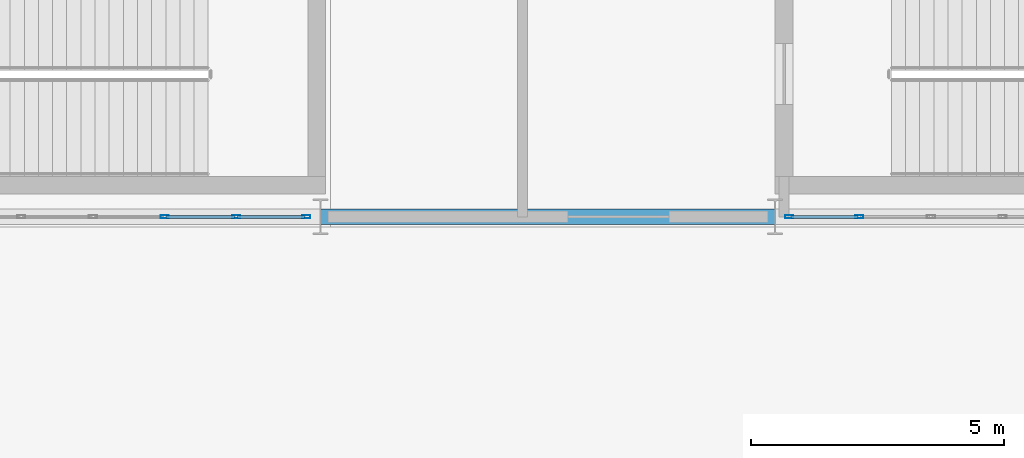
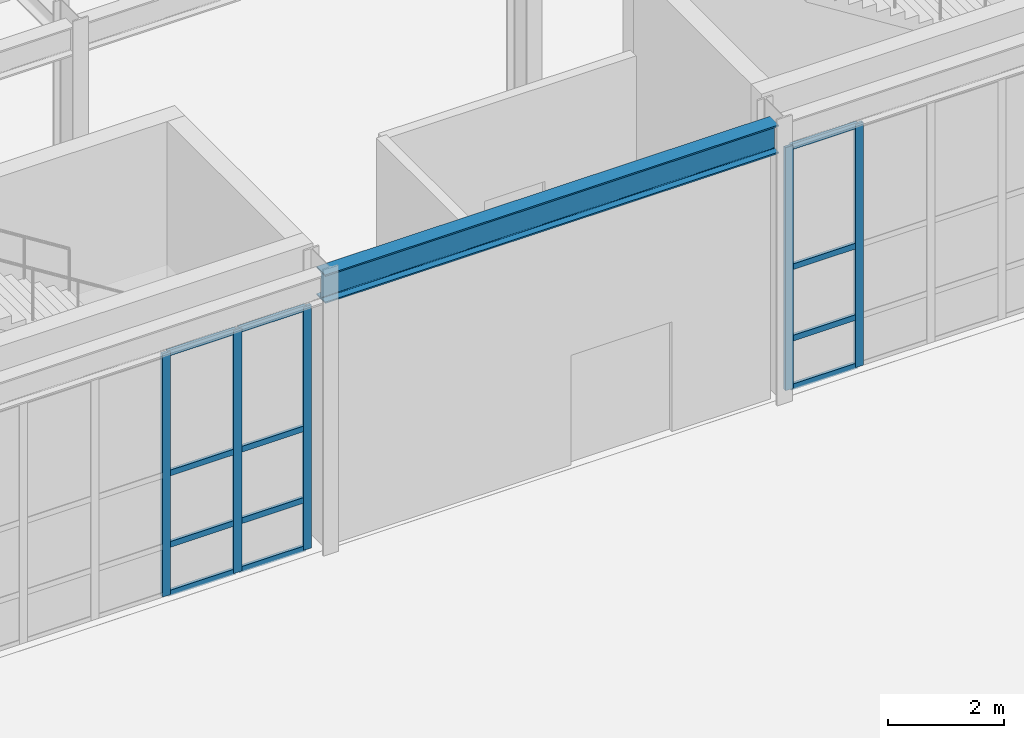
# One storey, part 63 of 146: 17 members, 1 beam, 2 elements without a shape of their own.
"""IFC4 building model written with IfcOpenShell, lengths in metres."""

from ifc_helpers import new_model, si_unit, direction, frame, origin, origin_2d, place, context, subcontext, project, spatial, hollow_rectangle, i_section, extrude, material, material_profile, profile_set, type_object, element, aggregate, save


model = new_model("IFC4")

# Units and contexts
model_context = context("Model", 3, precision=1e-05, world=origin(), true_north=direction((0.0, 1.0)))
body_context = subcontext(model_context, "Body", "Model", "MODEL_VIEW")
ifc_project = project(units=[si_unit("LENGTHUNIT", "METRE"), si_unit("AREAUNIT", "SQUARE_METRE"), si_unit("VOLUMEUNIT", "CUBIC_METRE"), si_unit("PLANEANGLEUNIT", "RADIAN"), si_unit("MASSUNIT", "GRAM", prefix="KILO")], contexts=[model_context])

# Site, building, storey
site_placement = place(None, origin())
site = spatial("IfcSite", under=ifc_project, at=site_placement, CompositionType="ELEMENT")
building_placement = place(site_placement, origin())
building = spatial("IfcBuilding", under=site, at=building_placement, Name="Kaldris Quays Convention Centre", CompositionType="ELEMENT")
storey_placement = place(building_placement, origin())
storey = spatial("IfcBuildingStorey", under=building, at=storey_placement, Name="L00", CompositionType="ELEMENT", Elevation=0.0)

# Curtain wall, members
ifc_material_1 = material(Name="Anodized aluminium AW-6060 and triple glazing", Category="aluminium")
curtain_wall_type = type_object("IfcCurtainWallType", Name="UNITISED CURTAIN WALL CW04", PredefinedType="NOTDEFINED", material=ifc_material_1)
curtain_wall_1_placement = place(storey_placement, origin())
curtain_wall_1 = element("IfcCurtainWall", 1, at=curtain_wall_1_placement, inside=storey, type_object=curtain_wall_type, Name="L00 Unitised Curtain Wall CW04 105", PredefinedType="NOTDEFINED")
ifc_material_2 = material(Name="Anodized aluminium AW-6060", Category="aluminium")
ifc_material_profile_1 = material_profile(ifc_material_2, hollow_rectangle(XDim=0.06005859375, YDim=0.159912109375, WallThickness=0.00390625, at=origin_2d()), Name="RHS 160x60x4")
ifc_profile_set_1 = profile_set([ifc_material_profile_1], Name="Anodized aluminium AW-6060")
member_type_1 = type_object("IfcMemberType", Name="CURTAIN MULLION CWM1", PredefinedType="MULLION", material=ifc_profile_set_1)
member_1_placement = place(storey_placement, frame((115.916748046875, 38.0, 0.0), z_axis=(0.0, 0.0, 1.0), x_axis=(0.0, 1.0, 0.0)))
member_1 = element("IfcMember", 2, at=member_1_placement, type_object=member_type_1, Name="CW04 mullion 5", PredefinedType="MULLION", context=body_context, shape_type="SweptSolid", body=[
    extrude(hollow_rectangle(XDim=0.06005859375, YDim=0.159912109375, WallThickness=0.00390625, at=origin_2d()), origin(), (0.0, 0.0, 1.0), 5.097900390625),
])
member_2_placement = place(storey_placement, frame((117.333251953125, 38.0, 0.0), z_axis=(0.0, 0.0, 1.0), x_axis=(0.0, 1.0, 0.0)))
member_2 = element("IfcMember", 3, at=member_2_placement, type_object=member_type_1, Name="CW04 mullion 6", PredefinedType="MULLION", context=body_context, shape_type="SweptSolid", body=[
    extrude(hollow_rectangle(XDim=0.06005859375, YDim=0.159912109375, WallThickness=0.00390625, at=origin_2d()), origin(), (0.0, 0.0, 1.0), 5.097900390625),
])
member_3_placement = place(storey_placement, frame((118.719970703125, 38.0, 0.0), z_axis=(0.0, 0.0, 1.0), x_axis=(0.0, 1.0, 0.0)))
member_3 = element("IfcMember", 4, at=member_3_placement, type_object=member_type_1, Name="CW04 mullion 7", PredefinedType="MULLION", context=body_context, shape_type="SweptSolid", body=[
    extrude(hollow_rectangle(XDim=0.06005859375, YDim=0.159912109375, WallThickness=0.00390625, at=origin_2d()), origin(), (0.0, 0.0, 1.0), 5.097900390625),
])

curtain_wall_2_placement = place(storey_placement, origin())
curtain_wall_2 = element("IfcCurtainWall", 5, at=curtain_wall_2_placement, inside=storey, type_object=curtain_wall_type, Name="L00 Unitised Curtain Wall CW04 106", PredefinedType="NOTDEFINED")
member_4_placement = place(storey_placement, frame((128.280029296875, 38.0, 0.0), z_axis=(0.0, 0.0, 1.0), x_axis=(0.0, 1.0, 0.0)))
member_4 = element("IfcMember", 6, at=member_4_placement, type_object=member_type_1, Name="CW04 mullion 1", PredefinedType="MULLION", context=body_context, shape_type="SweptSolid", body=[
    extrude(hollow_rectangle(XDim=0.06005859375, YDim=0.159912109375, WallThickness=0.00390625, at=origin_2d()), origin(), (0.0, 0.0, 1.0), 5.097900390625),
])
member_5_placement = place(storey_placement, frame((129.666748046875, 38.0, 0.0), z_axis=(0.0, 0.0, 1.0), x_axis=(0.0, 1.0, 0.0)))
member_5 = element("IfcMember", 7, at=member_5_placement, type_object=member_type_1, Name="CW04 mullion 2", PredefinedType="MULLION", context=body_context, shape_type="SweptSolid", body=[
    extrude(hollow_rectangle(XDim=0.06005859375, YDim=0.159912109375, WallThickness=0.00390625, at=origin_2d()), origin(), (0.0, 0.0, 1.0), 5.097900390625),
])

# Member
ifc_material_profile_2 = material_profile(ifc_material_2, hollow_rectangle(XDim=0.06005859375, YDim=0.1201171875, WallThickness=0.00390625, at=origin_2d()), Name="RHS 120x60x4")
ifc_profile_set_2 = profile_set([ifc_material_profile_2], Name="Anodized aluminium AW-6060")
member_type_2 = type_object("IfcMemberType", Name="CURTAIN TRANSOM CWT1", PredefinedType="USERDEFINED", material=ifc_profile_set_2)
member_6_placement = place(storey_placement, frame((115.94677734375, 38.0, 0.030029296875), z_axis=(1.0, 0.0, 0.0), x_axis=(0.0, 1.0, 0.0)))
member_6 = element("IfcMember", 8, at=member_6_placement, type_object=member_type_2, Name="CW04 transom 5.1", ObjectType="TRANSOM", PredefinedType="USERDEFINED", context=body_context, shape_type="SweptSolid", body=[
    extrude(hollow_rectangle(XDim=0.06005859375, YDim=0.1201171875, WallThickness=0.00390625, at=origin_2d()), origin(), (0.0, 0.0, 1.0), 1.3564453125),
])

member_7_placement = place(storey_placement, frame((115.94677734375, 38.0, 1.050048828125), z_axis=(1.0, 0.0, 0.0), x_axis=(0.0, 1.0, 0.0)))
member_7 = element("IfcMember", 9, at=member_7_placement, type_object=member_type_2, Name="CW04 transom 5.2", ObjectType="TRANSOM", PredefinedType="USERDEFINED", context=body_context, shape_type="SweptSolid", body=[
    extrude(hollow_rectangle(XDim=0.06005859375, YDim=0.1201171875, WallThickness=0.00390625, at=origin_2d()), origin(), (0.0, 0.0, 1.0), 1.3564453125),
])

member_8_placement = place(storey_placement, frame((115.94677734375, 38.0, 2.549072265625), z_axis=(1.0, 0.0, 0.0), x_axis=(0.0, 1.0, 0.0)))
member_8 = element("IfcMember", 10, at=member_8_placement, type_object=member_type_2, Name="CW04 transom 5.3", ObjectType="TRANSOM", PredefinedType="USERDEFINED", context=body_context, shape_type="SweptSolid", body=[
    extrude(hollow_rectangle(XDim=0.06005859375, YDim=0.1201171875, WallThickness=0.00390625, at=origin_2d()), origin(), (0.0, 0.0, 1.0), 1.3564453125),
])

member_9_placement = place(storey_placement, frame((115.94677734375, 38.0, 5.068115234375), z_axis=(1.0, 0.0, 0.0), x_axis=(0.0, 1.0, 0.0)))
member_9 = element("IfcMember", 11, at=member_9_placement, type_object=member_type_2, Name="CW04 transom 5.4", ObjectType="TRANSOM", PredefinedType="USERDEFINED", context=body_context, shape_type="SweptSolid", body=[
    extrude(hollow_rectangle(XDim=0.06005859375, YDim=0.1201171875, WallThickness=0.00390625, at=origin_2d()), origin(), (0.0, 0.0, 1.0), 1.3564453125),
])

member_10_placement = place(storey_placement, frame((117.36328125, 38.0, 0.030029296875), z_axis=(1.0, 0.0, 0.0), x_axis=(0.0, 1.0, 0.0)))
member_10 = element("IfcMember", 12, at=member_10_placement, type_object=member_type_2, Name="CW04 transom 6.1", ObjectType="TRANSOM", PredefinedType="USERDEFINED", context=body_context, shape_type="SweptSolid", body=[
    extrude(hollow_rectangle(XDim=0.06005859375, YDim=0.1201171875, WallThickness=0.00390625, at=origin_2d()), origin(), (0.0, 0.0, 1.0), 1.32666015625),
])

member_11_placement = place(storey_placement, frame((117.36328125, 38.0, 1.050048828125), z_axis=(1.0, 0.0, 0.0), x_axis=(0.0, 1.0, 0.0)))
member_11 = element("IfcMember", 13, at=member_11_placement, type_object=member_type_2, Name="CW04 transom 6.2", ObjectType="TRANSOM", PredefinedType="USERDEFINED", context=body_context, shape_type="SweptSolid", body=[
    extrude(hollow_rectangle(XDim=0.06005859375, YDim=0.1201171875, WallThickness=0.00390625, at=origin_2d()), origin(), (0.0, 0.0, 1.0), 1.32666015625),
])

member_12_placement = place(storey_placement, frame((117.36328125, 38.0, 2.549072265625), z_axis=(1.0, 0.0, 0.0), x_axis=(0.0, 1.0, 0.0)))
member_12 = element("IfcMember", 14, at=member_12_placement, type_object=member_type_2, Name="CW04 transom 6.3", ObjectType="TRANSOM", PredefinedType="USERDEFINED", context=body_context, shape_type="SweptSolid", body=[
    extrude(hollow_rectangle(XDim=0.06005859375, YDim=0.1201171875, WallThickness=0.00390625, at=origin_2d()), origin(), (0.0, 0.0, 1.0), 1.32666015625),
])

member_13_placement = place(storey_placement, frame((117.36328125, 38.0, 5.068115234375), z_axis=(1.0, 0.0, 0.0), x_axis=(0.0, 1.0, 0.0)))
member_13 = element("IfcMember", 15, at=member_13_placement, type_object=member_type_2, Name="CW04 transom 6.4", ObjectType="TRANSOM", PredefinedType="USERDEFINED", context=body_context, shape_type="SweptSolid", body=[
    extrude(hollow_rectangle(XDim=0.06005859375, YDim=0.1201171875, WallThickness=0.00390625, at=origin_2d()), origin(), (0.0, 0.0, 1.0), 1.32666015625),
])

aggregate(curtain_wall_1, [member_1, member_2, member_3, member_6, member_7, member_8, member_9, member_10, member_11, member_12, member_13])

member_14_placement = place(storey_placement, frame((128.31005859375, 38.0, 0.030029296875), z_axis=(1.0, 0.0, 0.0), x_axis=(0.0, 1.0, 0.0)))
member_14 = element("IfcMember", 16, at=member_14_placement, type_object=member_type_2, Name="CW04 transom 1.1", ObjectType="TRANSOM", PredefinedType="USERDEFINED", context=body_context, shape_type="SweptSolid", body=[
    extrude(hollow_rectangle(XDim=0.06005859375, YDim=0.1201171875, WallThickness=0.00390625, at=origin_2d()), origin(), (0.0, 0.0, 1.0), 1.32666015625),
])

member_15_placement = place(storey_placement, frame((128.31005859375, 38.0, 1.050048828125), z_axis=(1.0, 0.0, 0.0), x_axis=(0.0, 1.0, 0.0)))
member_15 = element("IfcMember", 17, at=member_15_placement, type_object=member_type_2, Name="CW04 transom 1.2", ObjectType="TRANSOM", PredefinedType="USERDEFINED", context=body_context, shape_type="SweptSolid", body=[
    extrude(hollow_rectangle(XDim=0.06005859375, YDim=0.1201171875, WallThickness=0.00390625, at=origin_2d()), origin(), (0.0, 0.0, 1.0), 1.32666015625),
])

member_16_placement = place(storey_placement, frame((128.31005859375, 38.0, 2.549072265625), z_axis=(1.0, 0.0, 0.0), x_axis=(0.0, 1.0, 0.0)))
member_16 = element("IfcMember", 18, at=member_16_placement, type_object=member_type_2, Name="CW04 transom 1.3", ObjectType="TRANSOM", PredefinedType="USERDEFINED", context=body_context, shape_type="SweptSolid", body=[
    extrude(hollow_rectangle(XDim=0.06005859375, YDim=0.1201171875, WallThickness=0.00390625, at=origin_2d()), origin(), (0.0, 0.0, 1.0), 1.32666015625),
])

member_17_placement = place(storey_placement, frame((128.31005859375, 38.0, 5.068115234375), z_axis=(1.0, 0.0, 0.0), x_axis=(0.0, 1.0, 0.0)))
member_17 = element("IfcMember", 19, at=member_17_placement, type_object=member_type_2, Name="CW04 transom 1.4", ObjectType="TRANSOM", PredefinedType="USERDEFINED", context=body_context, shape_type="SweptSolid", body=[
    extrude(hollow_rectangle(XDim=0.06005859375, YDim=0.1201171875, WallThickness=0.00390625, at=origin_2d()), origin(), (0.0, 0.0, 1.0), 1.32666015625),
])

aggregate(curtain_wall_2, [member_4, member_5, member_14, member_15, member_16, member_17])

# Beam
ifc_material_3 = material(Name="Steel S355J2", Category="steel")
ifc_material_profile_3 = material_profile(ifc_material_3, i_section(OverallWidth=0.300048828125, OverallDepth=0.60009765625, WebThickness=0.015380859375, FlangeThickness=0.030029296875, FilletRadius=0.027099609375, at=origin_2d()), Name="HEB 600")
ifc_profile_set_3 = profile_set([ifc_material_profile_3], Name="Steel S355J2")
beam_type = type_object("IfcBeamType", Name="STRUCTURAL BEAM BM05", PredefinedType="BEAM", material=ifc_profile_set_3)
beam_placement = place(storey_placement, frame((119.00244140625, 38.0, 5.423095703125), z_axis=(1.0, 0.0, 0.0), x_axis=(0.0, 1.0, 0.0)))
element("IfcBeam", 20, at=beam_placement, inside=storey, type_object=beam_type, Name="L00 Girder BM05 5", PredefinedType="BEAM", context=body_context, shape_type="SweptSolid", body=[
    extrude(i_section(OverallWidth=0.300048828125, OverallDepth=0.60009765625, WebThickness=0.015380859375, FlangeThickness=0.030029296875, FilletRadius=0.027099609375, at=origin_2d()), origin(), (0.0, 0.0, 1.0), 8.9951171875),
])

save(model, "model.ifc")
